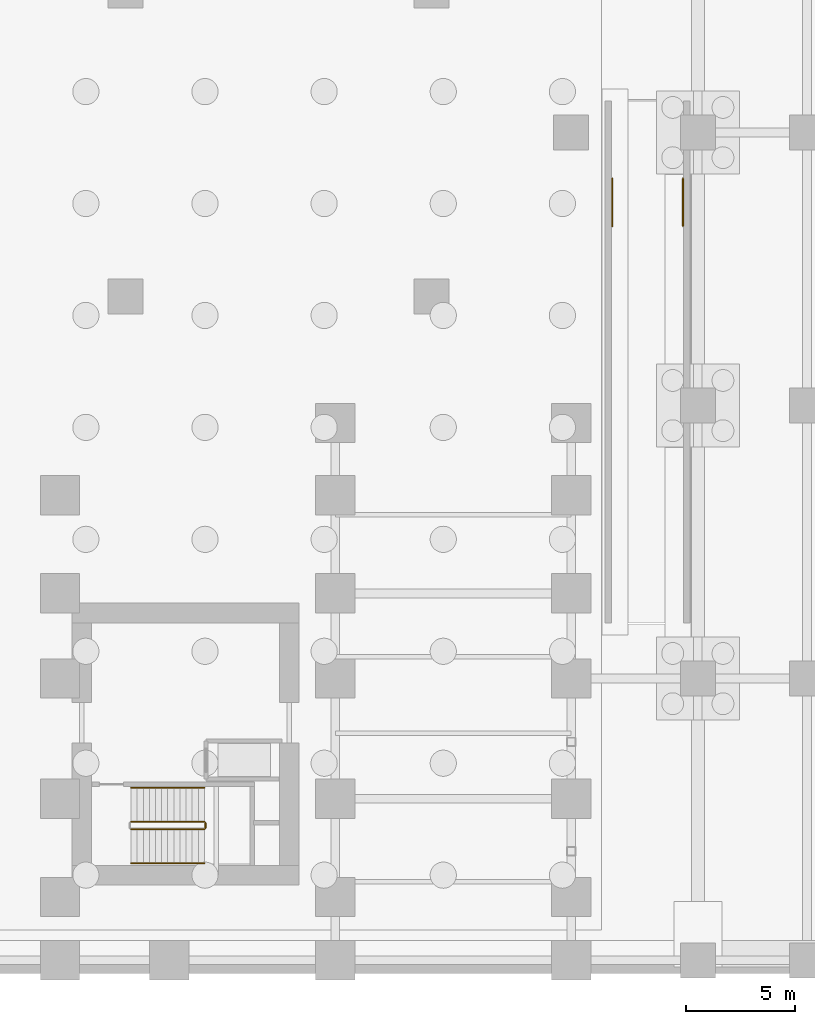
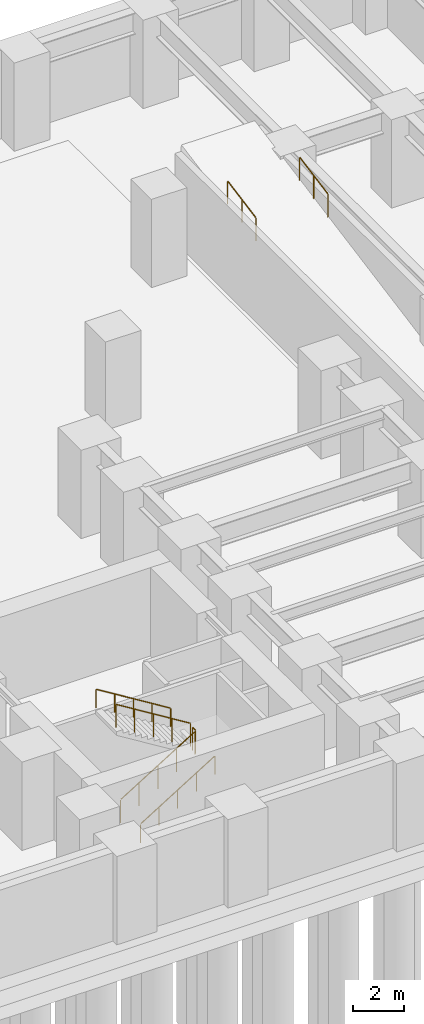
# One storey, part 14 of 15: 7 railings.
"""IFC4 building model written with IfcOpenShell, lengths in metres."""

from ifc_helpers import new_model, si_unit, direction, frame, origin, origin_2d, place, context, subcontext, project, spatial, circle, extrude, source, transform, mapped, material, layer, layer_set, type_object, element, save


model = new_model("IFC4")

# Units and contexts
model_context = context("Model", 3, precision=1e-05, world=origin(), true_north=direction((0.0, 1.0)))
body_context = subcontext(model_context, "Body", "Model", "MODEL_VIEW")
ifc_project = project(units=[si_unit("LENGTHUNIT", "METRE"), si_unit("AREAUNIT", "SQUARE_METRE"), si_unit("VOLUMEUNIT", "CUBIC_METRE"), si_unit("PLANEANGLEUNIT", "RADIAN"), si_unit("MASSUNIT", "GRAM", prefix="KILO")], contexts=[model_context])

# Site, building, storey
site_placement = place(None, origin())
site = spatial("IfcSite", under=ifc_project, at=site_placement, CompositionType="ELEMENT")
building_placement = place(site_placement, origin())
building = spatial("IfcBuilding", under=site, at=building_placement, Name="Kharzan Plaza Tower", CompositionType="ELEMENT")
storey_placement = place(building_placement, frame((0.0, 0.0, -9.0)))
storey = spatial("IfcBuildingStorey", under=building, at=storey_placement, Name="B02", CompositionType="ELEMENT", Elevation=-9.0)

# Railings
ifc_material_1 = material(Name="Painted Galvanized Architectural Steel", Category="steel")
ifc_layer_1 = layer(ifc_material_1, 0.074951171875)
ifc_layer_set_1 = layer_set([ifc_layer_1], Name="Painted Galvanized Architectural Steel")
railing_type_1 = type_object("IfcRailingType", Name="RL-GUARD-1120", PredefinedType="BALUSTRADE", material=ifc_layer_set_1)
shared_shape_1 = source(origin(), body_context, "Body", "SweptSolid", [
    extrude(circle(Radius=0.02392578125, at=origin_2d()), frame((0.0, 0.02587890625, 1.10107421875), z_axis=(0.0, 0.982744784188, 0.184966724446), x_axis=(-1.0, 0.0, 0.0)), (0.0, 0.0, 1.0), 2.185791015625),
    extrude(circle(Radius=0.02099609375, at=origin_2d()), origin(), (0.0, 0.0, 1.0), 1.072021484375),
    extrude(circle(Radius=0.02099609375, at=origin_2d()), frame((0.0, 1.10009765625, 0.20703125)), (0.0, 0.0, 1.0), 1.072021484375),
    extrude(circle(Radius=0.02099609375, at=origin_2d()), frame((0.0, 2.199951171875, 0.4140625)), (0.0, 0.0, 1.0), 1.072021484375),
])
for number, where, name in (
    (1, (63.52001953125, 34.199951171875, 3.41748046875), "B02 Vehicular Ramp Kerb Safety Guard E"),
    (2, (60.280029296875, 34.199951171875, 3.41748046875), "B02 Vehicular Ramp Kerb Safety Guard W"),
):
    element("IfcRailing", number, at=place(storey_placement, frame(where)), inside=storey, type_object=railing_type_1, Name=name, PredefinedType="BALUSTRADE", context=body_context, shape_type="MappedRepresentation", body=[
        mapped(shared_shape_1, transform((0.0, 0.0, 0.0), x_axis=(1.0, 0.0, 0.0), y_axis=(0.0, 1.0, 0.0), z_axis=(0.0, 0.0, 1.0))),
    ])
shared_shape_2 = source(origin(), body_context, "Body", "SweptSolid", [
    extrude(circle(Radius=0.02392578125, at=origin_2d()), frame((0.0224609375, 0.0, 1.10986328125), z_axis=(0.850623216509, 0.0, 0.525775754039), x_axis=(0.0, 1.0, 0.0)), (0.0, 0.0, 1.0), 3.897216796875),
    extrude(circle(Radius=0.02099609375, at=origin_2d()), origin(), (0.0, 0.0, 1.0), 1.072021484375),
    extrude(circle(Radius=0.02099609375, at=origin_2d()), frame((0.840087890625, 0.0, 0.519287109375)), (0.0, 0.0, 1.0), 1.072021484375),
    extrude(circle(Radius=0.02099609375, at=origin_2d()), frame((1.68017578125, 0.0, 1.03857421875)), (0.0, 0.0, 1.0), 1.072021484375),
    extrude(circle(Radius=0.02099609375, at=origin_2d()), frame((2.52001953125, 0.0, 1.5576171875)), (0.0, 0.0, 1.0), 1.072021484375),
    extrude(circle(Radius=0.02099609375, at=origin_2d()), frame((3.360107421875, 0.0, 2.076904296875)), (0.0, 0.0, 1.0), 1.072021484375),
])
railing_1_placement = place(storey_placement, frame((38.25, 6.60009765625, 0.173095703125)))
element("IfcRailing", 3, at=railing_1_placement, inside=storey, type_object=railing_type_1, Name="B02 ST-3 stair guard 1", PredefinedType="BALUSTRADE", context=body_context, shape_type="MappedRepresentation", body=[
    mapped(shared_shape_2, transform((0.0, 0.0, 0.0), x_axis=(1.0, 0.0, 0.0), y_axis=(0.0, 1.0, 0.0), z_axis=(0.0, 0.0, 1.0))),
])
shared_shape_3 = source(origin(), body_context, "Body", "SweptSolid", [
    extrude(circle(Radius=0.02392578125, at=origin_2d()), frame((0.0, 0.0263671875, 1.09619140625), z_axis=(0.0, 1.0, 0.0), x_axis=(-1.0, 0.0, 0.0)), (0.0, 0.0, 1.0), 0.197021484375),
    extrude(circle(Radius=0.02099609375, at=origin_2d()), origin(), (0.0, 0.0, 1.0), 1.072021484375),
    extrude(circle(Radius=0.02099609375, at=origin_2d()), frame((0.0, 0.25, 0.0)), (0.0, 0.0, 1.0), 1.072021484375),
])
railing_2_placement = place(storey_placement, frame((41.659912109375, 6.64990234375, 2.25)))
element("IfcRailing", 4, at=railing_2_placement, inside=storey, type_object=railing_type_1, Name="B02 ST-3 stair guard 2", PredefinedType="BALUSTRADE", context=body_context, shape_type="MappedRepresentation", body=[
    mapped(shared_shape_3, transform((0.0, 0.0, 0.0), x_axis=(1.0, 0.0, 0.0), y_axis=(0.0, 1.0, 0.0), z_axis=(0.0, 0.0, 1.0))),
])
shared_shape_4 = source(origin(), body_context, "Body", "SweptSolid", [
    extrude(circle(Radius=0.02392578125, at=origin_2d()), frame((-0.0224609375, 0.0, 1.10986328125), z_axis=(-0.850623216509, 0.0, 0.525775754039), x_axis=(0.0, -1.0, 0.0)), (0.0, 0.0, 1.0), 3.897216796875),
    extrude(circle(Radius=0.02099609375, at=origin_2d()), origin(), (0.0, 0.0, 1.0), 1.072021484375),
    extrude(circle(Radius=0.02099609375, at=origin_2d()), frame((-0.840087890625, 0.0, 0.519287109375)), (0.0, 0.0, 1.0), 1.072021484375),
    extrude(circle(Radius=0.02099609375, at=origin_2d()), frame((-1.68017578125, 0.0, 1.03857421875)), (0.0, 0.0, 1.0), 1.072021484375),
    extrude(circle(Radius=0.02099609375, at=origin_2d()), frame((-2.52001953125, 0.0, 1.5576171875)), (0.0, 0.0, 1.0), 1.072021484375),
    extrude(circle(Radius=0.02099609375, at=origin_2d()), frame((-3.360107421875, 0.0, 2.076904296875)), (0.0, 0.0, 1.0), 1.072021484375),
])
railing_3_placement = place(storey_placement, frame((41.610107421875, 6.949951171875, 2.423095703125)))
element("IfcRailing", 5, at=railing_3_placement, inside=storey, type_object=railing_type_1, Name="B02 ST-3 stair guard 3", PredefinedType="BALUSTRADE", context=body_context, shape_type="MappedRepresentation", body=[
    mapped(shared_shape_4, transform((0.0, 0.0, 0.0), x_axis=(1.0, 0.0, 0.0), y_axis=(0.0, 1.0, 0.0), z_axis=(0.0, 0.0, 1.0))),
])
ifc_material_2 = material(Name="Brushed Stainless Steel", Category="steel")
ifc_layer_2 = layer(ifc_material_2, 0.050048828125)
ifc_layer_set_2 = layer_set([ifc_layer_2], Name="Brushed Stainless Steel")
railing_type_2 = type_object("IfcRailingType", Name="RL-STAIR-HR920", PredefinedType="HANDRAIL", material=ifc_layer_set_2)
shared_shape_5 = source(origin(), body_context, "Body", "SweptSolid", [
    extrude(circle(Radius=0.02392578125, at=origin_2d()), frame((0.0224609375, 0.0, 0.8896484375), z_axis=(0.850623216509, 0.0, 0.525775754039), x_axis=(0.0, 1.0, 0.0)), (0.0, 0.0, 1.0), 3.897216796875),
    extrude(circle(Radius=0.02099609375, at=origin_2d()), origin(), (0.0, 0.0, 1.0), 0.851806640625),
    extrude(circle(Radius=0.02099609375, at=origin_2d()), frame((0.840087890625, 0.0, 0.519287109375)), (0.0, 0.0, 1.0), 0.851806640625),
    extrude(circle(Radius=0.02099609375, at=origin_2d()), frame((1.68017578125, 0.0, 1.03857421875)), (0.0, 0.0, 1.0), 0.851806640625),
    extrude(circle(Radius=0.02099609375, at=origin_2d()), frame((2.52001953125, 0.0, 1.5576171875)), (0.0, 0.0, 1.0), 0.851806640625),
    extrude(circle(Radius=0.02099609375, at=origin_2d()), frame((3.360107421875, 0.0, 2.076904296875)), (0.0, 0.0, 1.0), 0.851806640625),
])
railing_4_placement = place(storey_placement, frame((38.25, 5.050048828125, 0.173095703125)))
element("IfcRailing", 6, at=railing_4_placement, inside=storey, type_object=railing_type_2, Name="B02 ST-3 stair handrail 1", PredefinedType="HANDRAIL", context=body_context, shape_type="MappedRepresentation", body=[
    mapped(shared_shape_5, transform((0.0, 0.0, 0.0), x_axis=(1.0, 0.0, 0.0), y_axis=(0.0, 1.0, 0.0), z_axis=(0.0, 0.0, 1.0))),
])
shared_shape_6 = source(origin(), body_context, "Body", "SweptSolid", [
    extrude(circle(Radius=0.02392578125, at=origin_2d()), frame((-0.0224609375, 0.0, 0.8896484375), z_axis=(-0.850623216509, 0.0, 0.525775754039), x_axis=(0.0, -1.0, 0.0)), (0.0, 0.0, 1.0), 3.897216796875),
    extrude(circle(Radius=0.02099609375, at=origin_2d()), origin(), (0.0, 0.0, 1.0), 0.851806640625),
    extrude(circle(Radius=0.02099609375, at=origin_2d()), frame((-0.840087890625, 0.0, 0.519287109375)), (0.0, 0.0, 1.0), 0.851806640625),
    extrude(circle(Radius=0.02099609375, at=origin_2d()), frame((-1.68017578125, 0.0, 1.03857421875)), (0.0, 0.0, 1.0), 0.851806640625),
    extrude(circle(Radius=0.02099609375, at=origin_2d()), frame((-2.52001953125, 0.0, 1.5576171875)), (0.0, 0.0, 1.0), 0.851806640625),
    extrude(circle(Radius=0.02099609375, at=origin_2d()), frame((-3.360107421875, 0.0, 2.076904296875)), (0.0, 0.0, 1.0), 0.851806640625),
])
railing_5_placement = place(storey_placement, frame((41.610107421875, 8.5, 2.423095703125)))
element("IfcRailing", 7, at=railing_5_placement, inside=storey, type_object=railing_type_2, Name="B02 ST-3 stair handrail 2", PredefinedType="HANDRAIL", context=body_context, shape_type="MappedRepresentation", body=[
    mapped(shared_shape_6, transform((0.0, 0.0, 0.0), x_axis=(1.0, 0.0, 0.0), y_axis=(0.0, 1.0, 0.0), z_axis=(0.0, 0.0, 1.0))),
])

save(model, "model.ifc")
